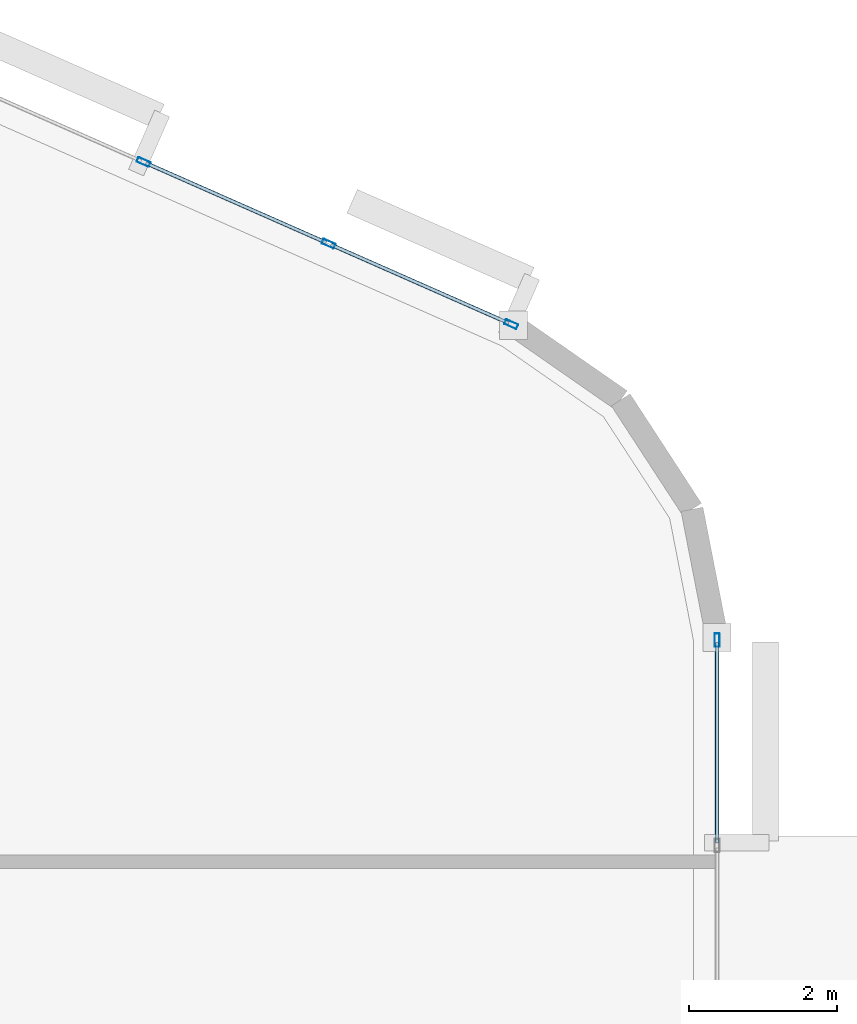
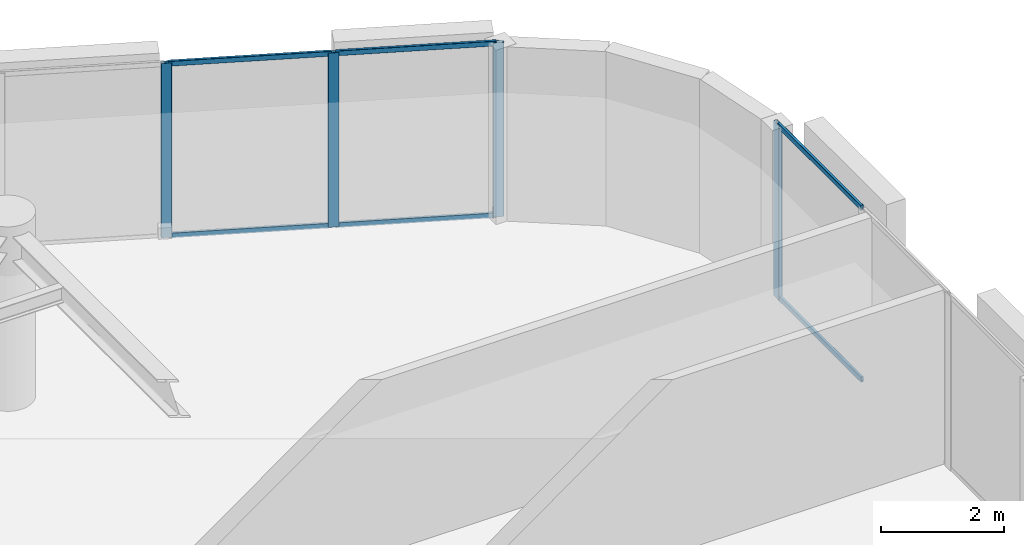
# One storey, part 6 of 12: 10 members, 2 elements without a shape of their own.
"""IFC4 building model written with IfcOpenShell, lengths in metres."""

from ifc_helpers import new_model, si_unit, direction, frame, origin, origin_2d, place, context, subcontext, project, spatial, hollow_rectangle, extrude, material, layer, layer_set, material_profile, profile_set, type_object, element, aggregate, save


model = new_model("IFC4")

# Units and contexts
model_context = context("Model", 3, precision=1e-05, world=origin(), true_north=direction((0.0, 1.0)))
body_context = subcontext(model_context, "Body", "Model", "MODEL_VIEW")
ifc_project = project(units=[si_unit("LENGTHUNIT", "METRE"), si_unit("AREAUNIT", "SQUARE_METRE"), si_unit("VOLUMEUNIT", "CUBIC_METRE"), si_unit("PLANEANGLEUNIT", "RADIAN"), si_unit("MASSUNIT", "GRAM", prefix="KILO")], contexts=[model_context])

# Site, building, storey
site_placement = place(None, origin())
site = spatial("IfcSite", under=ifc_project, at=site_placement, CompositionType="ELEMENT")
building_placement = place(site_placement, origin())
building = spatial("IfcBuilding", under=site, at=building_placement, Name="An Khanh Terracotta Commons", CompositionType="ELEMENT")
storey_placement = place(building_placement, frame((0.0, 0.0, 269.75)))
storey = spatial("IfcBuildingStorey", under=building, at=storey_placement, Name="L70", CompositionType="ELEMENT", Elevation=269.75)

# Curtain wall, member
ifc_material = material(Name="Anodised Aluminium 6063-T6", Category="aluminium")
ifc_layer = layer(ifc_material, 0.2099609375, Name="Anodised Aluminium 6063-T6")
ifc_layer_set = layer_set([ifc_layer], Name="Anodised Aluminium 6063-T6")
curtain_wall_type = type_object("IfcCurtainWallType", Name="CW-SYS-03", PredefinedType="USERDEFINED", material=ifc_layer_set)
curtain_wall_1_placement = place(storey_placement, origin())
curtain_wall_1 = element("IfcCurtainWall", 1, at=curtain_wall_1_placement, inside=storey, type_object=curtain_wall_type, Name="L70 CW-03 Unitised Curtain Wall CW-L70-12", ObjectType="UNITISED CURTAIN WALL", PredefinedType="USERDEFINED")
ifc_material_profile_1 = material_profile(ifc_material, hollow_rectangle(XDim=0.070068359375, YDim=0.179931640625, WallThickness=0.00390625, InnerFilletRadius=0.00390625, OuterFilletRadius=0.008056640625, at=origin_2d()), Name="RHS180x70x4")
ifc_profile_set_1 = profile_set([ifc_material_profile_1], Name="Anodised Aluminium 6063-T6")
member_type_1 = type_object("IfcMemberType", Name="CWM-RHS180x70x4", PredefinedType="MULLION", material=ifc_profile_set_1)
member_1_placement = place(storey_placement, frame((75.60009765625, 28.1669921875, 0.0), z_axis=(0.0, 0.0, 1.0), x_axis=(-1.0, 0.0, 0.0)))
member_1 = element("IfcMember", 2, at=member_1_placement, type_object=member_type_1, Name="CW-03 mullion 4", PredefinedType="MULLION", context=body_context, shape_type="SweptSolid", body=[
    extrude(hollow_rectangle(XDim=0.070068359375, YDim=0.179931640625, WallThickness=0.00390625, InnerFilletRadius=0.00390625, OuterFilletRadius=0.008056640625, at=origin_2d()), origin(), (0.0, 0.0, 1.0), 3.449951171875),
])

# Curtain wall, members
curtain_wall_2_placement = place(storey_placement, origin())
curtain_wall_2 = element("IfcCurtainWall", 3, at=curtain_wall_2_placement, inside=storey, type_object=curtain_wall_type, Name="L70 CW-03 Unitised Curtain Wall CW-L70-16", ObjectType="UNITISED CURTAIN WALL", PredefinedType="USERDEFINED")
member_2_placement = place(storey_placement, frame((72.824951171875, 32.424072265625, 0.0), z_axis=(0.0, 0.0, 1.0), x_axis=(-0.403676354285, -0.914901853201, 0.0)))
member_2 = element("IfcMember", 4, at=member_2_placement, type_object=member_type_1, Name="CW-03 mullion 1", PredefinedType="MULLION", context=body_context, shape_type="SweptSolid", body=[
    extrude(hollow_rectangle(XDim=0.070068359375, YDim=0.179931640625, WallThickness=0.00390625, InnerFilletRadius=0.00390625, OuterFilletRadius=0.008056640625, at=origin_2d()), origin(), (0.0, 0.0, 1.0), 3.449951171875),
])
member_3_placement = place(storey_placement, frame((70.364501953125, 33.509765625, 0.0), z_axis=(0.0, 0.0, 1.0), x_axis=(-0.403676354285, -0.914901853201, 0.0)))
member_3 = element("IfcMember", 5, at=member_3_placement, type_object=member_type_1, Name="CW-03 mullion 2", PredefinedType="MULLION", context=body_context, shape_type="SweptSolid", body=[
    extrude(hollow_rectangle(XDim=0.070068359375, YDim=0.179931640625, WallThickness=0.00390625, InnerFilletRadius=0.00390625, OuterFilletRadius=0.008056640625, at=origin_2d()), origin(), (0.0, 0.0, 1.0), 3.449951171875),
])
member_4_placement = place(storey_placement, frame((67.8720703125, 34.609619140625, 0.0), z_axis=(0.0, 0.0, 1.0), x_axis=(-0.403676354285, -0.914901853201, 0.0)))
member_4 = element("IfcMember", 6, at=member_4_placement, type_object=member_type_1, Name="CW-03 mullion 3", PredefinedType="MULLION", context=body_context, shape_type="SweptSolid", body=[
    extrude(hollow_rectangle(XDim=0.070068359375, YDim=0.179931640625, WallThickness=0.00390625, InnerFilletRadius=0.00390625, OuterFilletRadius=0.008056640625, at=origin_2d()), origin(), (0.0, 0.0, 1.0), 3.449951171875),
])

# Member
ifc_material_profile_2 = material_profile(ifc_material, hollow_rectangle(XDim=0.050048828125, YDim=0.10009765625, WallThickness=0.003173828125, InnerFilletRadius=0.003173828125, OuterFilletRadius=0.00634765625, at=origin_2d()), Name="RHS100x50x3.2")
ifc_profile_set_2 = profile_set([ifc_material_profile_2], Name="Anodised Aluminium 6063-T6")
member_type_2 = type_object("IfcMemberType", Name="CWT-RHS100x50x3.2", PredefinedType="USERDEFINED", material=ifc_profile_set_2)
member_5_placement = place(storey_placement, frame((75.60009765625, 25.435546875, 0.02490234375), z_axis=(0.0, 1.0, 0.0), x_axis=(-1.0, 0.0, 0.0)))
member_5 = element("IfcMember", 7, at=member_5_placement, type_object=member_type_2, Name="CW-03 transom 3.1", ObjectType="TRANSOM", PredefinedType="USERDEFINED", context=body_context, shape_type="SweptSolid", body=[
    extrude(hollow_rectangle(XDim=0.050048828125, YDim=0.10009765625, WallThickness=0.003173828125, InnerFilletRadius=0.003173828125, OuterFilletRadius=0.00634765625, at=origin_2d()), origin(), (0.0, 0.0, 1.0), 2.696533203125),
])

member_6_placement = place(storey_placement, frame((75.60009765625, 25.435546875, 3.425048828125), z_axis=(0.0, 1.0, 0.0), x_axis=(-1.0, 0.0, 0.0)))
member_6 = element("IfcMember", 8, at=member_6_placement, type_object=member_type_2, Name="CW-03 transom 3.2", ObjectType="TRANSOM", PredefinedType="USERDEFINED", context=body_context, shape_type="SweptSolid", body=[
    extrude(hollow_rectangle(XDim=0.050048828125, YDim=0.10009765625, WallThickness=0.003173828125, InnerFilletRadius=0.003173828125, OuterFilletRadius=0.00634765625, at=origin_2d()), origin(), (0.0, 0.0, 1.0), 2.696533203125),
])

aggregate(curtain_wall_1, [member_1, member_5, member_6])

member_7_placement = place(storey_placement, frame((72.79296875, 32.438232421875, 0.02490234375), z_axis=(-0.914903627858, 0.403672332137, 0.0), x_axis=(-0.403672332137, -0.914903627858, 0.0)))
member_7 = element("IfcMember", 9, at=member_7_placement, type_object=member_type_2, Name="CW-03 transom 1.1", ObjectType="TRANSOM", PredefinedType="USERDEFINED", context=body_context, shape_type="SweptSolid", body=[
    extrude(hollow_rectangle(XDim=0.050048828125, YDim=0.10009765625, WallThickness=0.003173828125, InnerFilletRadius=0.003173828125, OuterFilletRadius=0.00634765625, at=origin_2d()), origin(), (0.0, 0.0, 1.0), 2.619384765625),
])

member_8_placement = place(storey_placement, frame((72.79296875, 32.438232421875, 3.425048828125), z_axis=(-0.914903627858, 0.403672332137, 0.0), x_axis=(-0.403672332137, -0.914903627858, 0.0)))
member_8 = element("IfcMember", 10, at=member_8_placement, type_object=member_type_2, Name="CW-03 transom 1.2", ObjectType="TRANSOM", PredefinedType="USERDEFINED", context=body_context, shape_type="SweptSolid", body=[
    extrude(hollow_rectangle(XDim=0.050048828125, YDim=0.10009765625, WallThickness=0.003173828125, InnerFilletRadius=0.003173828125, OuterFilletRadius=0.00634765625, at=origin_2d()), origin(), (0.0, 0.0, 1.0), 2.619384765625),
])

member_9_placement = place(storey_placement, frame((70.33251953125, 33.52392578125, 0.02490234375), z_axis=(-0.914896820753, 0.403687759755, 0.0), x_axis=(-0.403687759755, -0.914896820753, 0.0)))
member_9 = element("IfcMember", 11, at=member_9_placement, type_object=member_type_2, Name="CW-03 transom 2.1", ObjectType="TRANSOM", PredefinedType="USERDEFINED", context=body_context, shape_type="SweptSolid", body=[
    extrude(hollow_rectangle(XDim=0.050048828125, YDim=0.10009765625, WallThickness=0.003173828125, InnerFilletRadius=0.003173828125, OuterFilletRadius=0.00634765625, at=origin_2d()), origin(), (0.0, 0.0, 1.0), 2.654296875),
])

member_10_placement = place(storey_placement, frame((70.33251953125, 33.52392578125, 3.425048828125), z_axis=(-0.914896820753, 0.403687759755, 0.0), x_axis=(-0.403687759755, -0.914896820753, 0.0)))
member_10 = element("IfcMember", 12, at=member_10_placement, type_object=member_type_2, Name="CW-03 transom 2.2", ObjectType="TRANSOM", PredefinedType="USERDEFINED", context=body_context, shape_type="SweptSolid", body=[
    extrude(hollow_rectangle(XDim=0.050048828125, YDim=0.10009765625, WallThickness=0.003173828125, InnerFilletRadius=0.003173828125, OuterFilletRadius=0.00634765625, at=origin_2d()), origin(), (0.0, 0.0, 1.0), 2.654296875),
])

aggregate(curtain_wall_2, [member_2, member_3, member_4, member_7, member_8, member_9, member_10])

save(model, "model.ifc")
